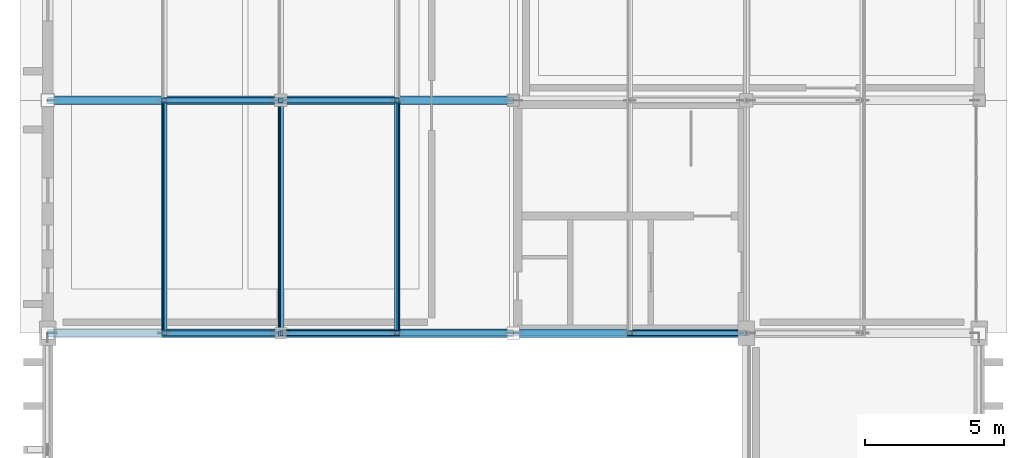
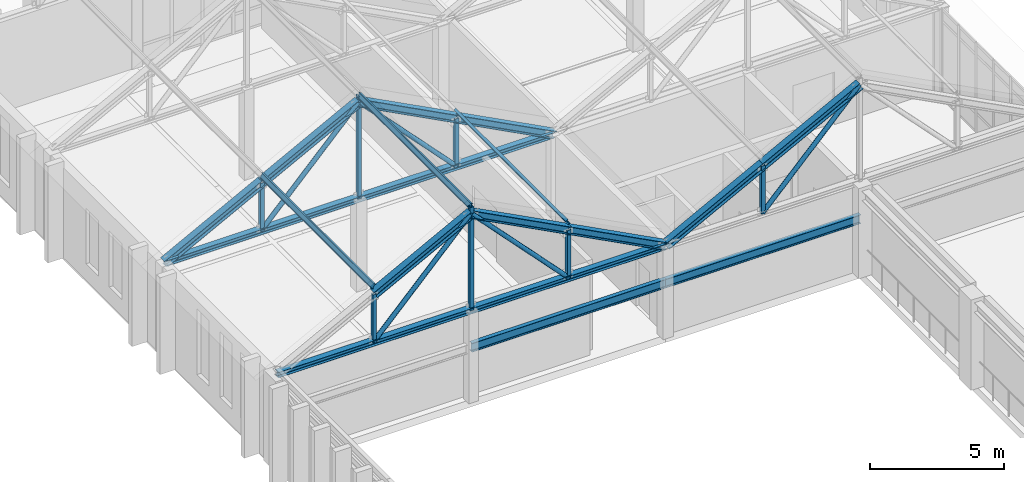
# One storey, part 72 of 192: 26 members, 2 beams.
"""IFC4 building model written with IfcOpenShell, lengths in metres."""

import ifcopenshell
import ifcopenshell.guid

model = None  # the IFC model being written
_history = None  # IfcOwnerHistory: only IFC2X3 demands one
_inside = {}  # id of a spatial element -> (the spatial element, [elements in it])
_under = {}  # id of a project, library or spatial element -> (it, [spatial elements below it])
_declared = {}  # id of a project -> (the project, [libraries it declares])
_typed = {}  # id of a type object -> (the type object, [elements of that type])
_made_of = {}  # id of a material, layer set ... -> (it, [elements and type objects made of it])


def new_model(schema):
    """Start an empty IFC model of exactly this schema.

    Asked for "IFC4X3", IfcOpenShell would pick the latest addendum, in which some entities
    have other attributes; the version numbers below select the first issue.
    IFC2X3 requires an IfcOwnerHistory on every rooted entity: one is made here for all.
    """
    global model, _history
    if schema == "IFC4X3":
        model = ifcopenshell.file(schema_version=(4, 3, 0, 0))
    else:
        model = ifcopenshell.file(schema=schema)
    _inside.clear()
    _under.clear()
    _declared.clear()
    _typed.clear()
    _made_of.clear()
    _history = None
    if model.schema == "IFC2X3":
        org = make("IfcOrganization", Name="unknown")
        user = make(
            "IfcPersonAndOrganization",
            ThePerson=make("IfcPerson", FamilyName="unknown"),
            TheOrganization=org,
        )
        app = make(
            "IfcApplication",
            ApplicationDeveloper=org,
            Version="unknown",
            ApplicationFullName="unknown",
            ApplicationIdentifier="unknown",
        )
        _history = make(
            "IfcOwnerHistory",
            OwningUser=user,
            OwningApplication=app,
            ChangeAction="ADDED",
            CreationDate=0,
        )
    return model


def make(cls, **values):
    """One entity of the class cls with the attributes given. An attribute that is None is left unset."""
    return model.create_entity(
        cls, **{name: value for name, value in values.items() if value is not None}
    )


def rooted(cls, **values):
    """An entity with a GlobalId (a new one), such as an element, a storey or a relation."""
    return make(cls, GlobalId=ifcopenshell.guid.new(), OwnerHistory=_history, **values)


def si_unit(unit_type, name, prefix=None):
    """IfcSIUnit, for example si_unit("LENGTHUNIT", "METRE", prefix="MILLI")."""
    return make("IfcSIUnit", UnitType=unit_type, Prefix=prefix, Name=name)


def assignment(units):
    """IfcUnitAssignment: the units of a project."""
    return None if units is None else make("IfcUnitAssignment", Units=units)


def point(xyz):
    """IfcCartesianPoint."""
    return None if xyz is None else make("IfcCartesianPoint", Coordinates=xyz)


def direction(xyz):
    """IfcDirection."""
    return None if xyz is None else make("IfcDirection", DirectionRatios=xyz)


def frame(location, z_axis=None, x_axis=None):
    """IfcAxis2Placement3D, a coordinate frame: its origin and axes. An axis left out is left unset."""
    return make(
        "IfcAxis2Placement3D",
        Location=point(location),
        Axis=direction(z_axis),
        RefDirection=direction(x_axis),
    )


def frame_2d(location, x_axis=None):
    """IfcAxis2Placement2D, a coordinate frame in the plane: its origin and x axis."""
    return make(
        "IfcAxis2Placement2D", Location=point(location), RefDirection=direction(x_axis)
    )


def origin():
    """The frame at (0, 0, 0) with its axes left unset."""
    return frame((0.0, 0.0, 0.0))


def origin_2d():
    """The frame at (0, 0) in the plane with its x axis left unset."""
    return frame_2d((0.0, 0.0))


def place(relative_to, where):
    """IfcLocalPlacement: puts the frame where relative to a parent placement (None: the world)."""
    return make(
        "IfcLocalPlacement", PlacementRelTo=relative_to, RelativePlacement=where
    )


def context(
    kind, dimensions, precision=None, world=None, true_north=None, identifier=None
):
    """IfcGeometricRepresentationContext, for example the 3D "Model" context."""
    return make(
        "IfcGeometricRepresentationContext",
        ContextIdentifier=identifier,
        ContextType=kind,
        CoordinateSpaceDimension=dimensions,
        Precision=precision,
        WorldCoordinateSystem=world,
        TrueNorth=true_north,
    )


def subcontext(parent, identifier, kind, view, scale=None):
    """IfcGeometricRepresentationSubContext, for example "Body" below "Model"."""
    return make(
        "IfcGeometricRepresentationSubContext",
        ContextIdentifier=identifier,
        ContextType=kind,
        ParentContext=parent,
        TargetScale=scale,
        TargetView=view,
    )


def project(units=None, contexts=None):
    """IfcProject with its units and contexts."""
    return rooted(
        "IfcProject",
        Name="project",
        RepresentationContexts=contexts,
        UnitsInContext=assignment(units),
    )


def spatial(cls, under=None, at=None, **own):
    """A site, building, storey or space (cls), placed at a placement, below another one or the project."""
    s = rooted(cls, ObjectPlacement=at, **own)
    if under is not None:
        _under.setdefault(under.id(), (under, []))[1].append(s)
    return s


def profile(cls, at=None, kind="AREA", **sizes):
    """A parametric profile (cls). Its sizes go by their IFC names, for example OverallWidth=200.0."""
    return make(cls, ProfileType=kind, Position=at, **sizes)


def hollow_rectangle(**sizes):
    """IfcRectangleHollowProfileDef."""
    return profile("IfcRectangleHollowProfileDef", **sizes)


def hollow_circle(**sizes):
    """IfcCircleHollowProfileDef."""
    return profile("IfcCircleHollowProfileDef", **sizes)


def i_section(**sizes):
    """IfcIShapeProfileDef."""
    return profile("IfcIShapeProfileDef", **sizes)


def extrude(swept, where, along, depth):
    """IfcExtrudedAreaSolid: the profile swept, set in the frame where, extruded along a direction by depth."""
    return make(
        "IfcExtrudedAreaSolid",
        SweptArea=swept,
        Position=where,
        ExtrudedDirection=direction(along),
        Depth=depth,
    )


def shape(context_of_items, identifier, shape_type, items):
    """IfcShapeRepresentation: the items that make up one representation, for example the "Body"."""
    return make(
        "IfcShapeRepresentation",
        ContextOfItems=context_of_items,
        RepresentationIdentifier=identifier,
        RepresentationType=shape_type,
        Items=items,
    )


def material(Name=None, Category=None):
    """IfcMaterial."""
    return make("IfcMaterial", Name=Name, Category=Category)


def material_profile(
    of_material, cross_section, Name=None, Category=None, Priority=None
):
    """IfcMaterialProfile: a cross section and its material."""
    return make(
        "IfcMaterialProfile",
        Name=Name,
        Material=of_material,
        Profile=cross_section,
        Priority=Priority,
        Category=Category,
    )


def profile_set(profiles, Name=None, composite=None):
    """IfcMaterialProfileSet."""
    return make(
        "IfcMaterialProfileSet",
        Name=Name,
        MaterialProfiles=profiles,
        CompositeProfile=composite,
    )


def made_of(thing, what):
    """Note that an element or type object is made of a material, layer set ...; save() writes the relation."""
    if what is not None:
        _made_of.setdefault(what.id(), (what, []))[1].append(thing)
    return thing


def type_object(cls, material=None, **own):
    """A type object (cls), such as IfcWallType, which elements share."""
    return made_of(rooted(cls, **own), material)


def element(
    cls,
    number,
    at=None,
    inside=None,
    cuts=None,
    type_object=None,
    material=None,
    context=None,
    identifier="Body",
    shape_type=None,
    held_by="IfcProductDefinitionShape",
    body=None,
    shapes=None,
    **own,
):
    """One element of the class cls, such as IfcWall. Its Tag is "e" and its number.

    at: its placement. inside: the storey or other place that contains it. cuts: it is an
    opening in that element (IfcRelVoidsElement). A single representation is given by context,
    identifier, shape_type and body (its items); several are given by shapes. held_by: the class
    of the entity that holds the representations. save() writes the other relations.
    """
    e = rooted(cls, Tag="e%d" % number, ObjectPlacement=at, **own)
    if body is not None:
        shapes = [shape(context, identifier, shape_type, body)]
    if shapes is not None:
        e.Representation = make(held_by, Representations=shapes)
    if inside is not None:
        _inside.setdefault(inside.id(), (inside, []))[1].append(e)
    if cuts is not None:
        rooted(
            "IfcRelVoidsElement", RelatingBuildingElement=cuts, RelatedOpeningElement=e
        )
    if type_object is not None:
        _typed.setdefault(type_object.id(), (type_object, []))[1].append(e)
    return made_of(e, material)


def aggregate(whole, parts):
    """IfcRelAggregates: a whole, such as a stair, and the parts it consists of."""
    return rooted("IfcRelAggregates", RelatingObject=whole, RelatedObjects=parts)


def save(model, path):
    """Write the relations noted so far, then the file.

    IfcRelAggregates (storeys below a building ...), IfcRelContainedInSpatialStructure (elements
    in a storey), IfcRelDefinesByType, IfcRelAssociatesMaterial and IfcRelDeclares: one each for
    every whole, place, type object, material and project.
    """
    for whole, parts in _under.values():
        aggregate(whole, parts)
    for where, things in _inside.values():
        rooted(
            "IfcRelContainedInSpatialStructure",
            RelatedElements=things,
            RelatingStructure=where,
        )
    for kind, things in _typed.values():
        rooted("IfcRelDefinesByType", RelatedObjects=things, RelatingType=kind)
    for what, things in _made_of.values():
        rooted("IfcRelAssociatesMaterial", RelatedObjects=things, RelatingMaterial=what)
    for by, libraries in _declared.values():
        rooted("IfcRelDeclares", RelatingContext=by, RelatedDefinitions=libraries)
    model.write(path)


model = new_model("IFC4")

# Units and contexts
model_context = context("Model", 3, precision=1e-05, world=origin(), true_north=direction((0.0, 1.0)))
body_context = subcontext(model_context, "Body", "Model", "MODEL_VIEW")
ifc_project = project(units=[si_unit("LENGTHUNIT", "METRE"), si_unit("AREAUNIT", "SQUARE_METRE"), si_unit("VOLUMEUNIT", "CUBIC_METRE"), si_unit("PLANEANGLEUNIT", "RADIAN"), si_unit("MASSUNIT", "GRAM", prefix="KILO")], contexts=[model_context])

# Site, building, storey
site_placement = place(None, origin())
site = spatial("IfcSite", under=ifc_project, at=site_placement, CompositionType="ELEMENT")
building_placement = place(site_placement, origin())
building = spatial("IfcBuilding", under=site, at=building_placement, Name="Kveldsbrygga Polytechnic", CompositionType="ELEMENT")
storey_placement = place(building_placement, frame((0.0, 0.0, 5.43994140625)))
storey = spatial("IfcBuildingStorey", under=building, at=storey_placement, Name="L01", CompositionType="ELEMENT", Elevation=5.43994140625)

# Beams
ifc_material = material(Name="Steel S355", Category="steel")
ifc_material_profile_1 = material_profile(ifc_material, i_section(OverallWidth=0.179931640625, OverallDepth=0.39990234375, WebThickness=0.008544921875, FlangeThickness=0.013427734375, FilletRadius=0.02099609375, at=origin_2d()), Name="IPE 400")
ifc_profile_set_1 = profile_set([ifc_material_profile_1], Name="Steel S355")
beam_type = type_object("IfcBeamType", Name="BM-STL-IPE400", PredefinedType="BEAM", material=ifc_profile_set_1)
beam_1_placement = place(storey_placement, frame((8.39990234375, 84.0, 2.41015625), z_axis=(1.0, 0.0, 0.0), x_axis=(0.0, 1.0, 0.0)))
element("IfcBeam", 1, at=beam_1_placement, inside=storey, type_object=beam_type, Name="Workshop Girt Beam BMX-V1GRT-L01-N-01", PredefinedType="BEAM", context=body_context, shape_type="SweptSolid", body=[
    extrude(i_section(OverallWidth=0.179931640625, OverallDepth=0.39990234375, WebThickness=0.008544921875, FlangeThickness=0.013427734375, FilletRadius=0.02099609375, at=origin_2d()), origin(), (0.0, 0.0, 1.0), 8.400146484375),
])
beam_2_placement = place(storey_placement, frame((16.800048828125, 84.0, 2.41015625), z_axis=(1.0, 0.0, 0.0), x_axis=(0.0, 1.0, 0.0)))
element("IfcBeam", 2, at=beam_2_placement, inside=storey, type_object=beam_type, Name="Workshop Girt Beam BMX-V1GRT-L01-N-02", PredefinedType="BEAM", context=body_context, shape_type="SweptSolid", body=[
    extrude(i_section(OverallWidth=0.179931640625, OverallDepth=0.39990234375, WebThickness=0.008544921875, FlangeThickness=0.013427734375, FilletRadius=0.02099609375, at=origin_2d()), origin(), (0.0, 0.0, 1.0), 8.39990234375),
])

# Members
ifc_material_profile_2 = material_profile(ifc_material, i_section(OverallWidth=0.110107421875, OverallDepth=0.219970703125, WebThickness=0.005859375, FlangeThickness=0.00927734375, FilletRadius=0.011962890625, at=origin_2d()), Name="IPE 220")
ifc_profile_set_2 = profile_set([ifc_material_profile_2], Name="Steel S355")
member_type_1 = type_object("IfcMemberType", Name="PRL-IPE220", PredefinedType="PURLIN", material=ifc_profile_set_2)
for number, where, z_axis, x_axis, name in (
    (3, (4.199951171875, 84.0, 6.630615234375), (0.0, 1.0, 0.0), (-0.885831335765, 0.0, 0.464007375564), "Roof Purlin V1N1-PRL-1-1"),
    (4, (8.39990234375, 84.0, 8.83056640625), (0.0, 1.0, 0.0), (-0.885831335765, 0.0, 0.464007375564), "Roof Purlin V1N1-PRL-1-2"),
    (5, (12.60009765625, 84.0, 6.630615234375), (0.0, 1.0, 0.0), (-0.885831335765, 0.0, -0.464007375564), "Roof Purlin V1N1-PRL-1-3"),
):
    element("IfcMember", number, at=place(storey_placement, frame(where, z_axis=z_axis, x_axis=x_axis)), inside=storey, type_object=member_type_1, Name=name, PredefinedType="PURLIN", context=body_context, shape_type="SweptSolid", body=[
        extrude(i_section(OverallWidth=0.110107421875, OverallDepth=0.219970703125, WebThickness=0.005859375, FlangeThickness=0.00927734375, FilletRadius=0.011962890625, at=origin_2d()), origin(), (0.0, 0.0, 1.0), 8.39990234375),
    ])
ifc_material_profile_3 = material_profile(ifc_material, i_section(OverallWidth=0.260009765625, OverallDepth=0.25, WebThickness=0.007568359375, FlangeThickness=0.012451171875, FilletRadius=0.02392578125, at=origin_2d()), Name="HEA 260")
ifc_profile_set_3 = profile_set([ifc_material_profile_3], Name="Steel S355")
member_type_2 = type_object("IfcMemberType", Name="TR-BOT-HEA260", PredefinedType="CHORD", material=ifc_profile_set_3)
for number, where, z_axis, x_axis, name in (
    (6, (0.0, 84.0, 4.1201171875), (1.0, 0.0, 0.0), (0.0, 1.0, 0.0), "Truss Bottom Chord V1N1-T01-BC-1"),
    (7, (0.0, 92.39990234375, 4.1201171875), (1.0, 0.0, 0.0), (0.0, 1.0, 0.0), "Truss Bottom Chord V1N1-T02-BC-1"),
):
    element("IfcMember", number, at=place(storey_placement, frame(where, z_axis=z_axis, x_axis=x_axis)), inside=storey, type_object=member_type_2, Name=name, PredefinedType="CHORD", context=body_context, shape_type="SweptSolid", body=[
        extrude(i_section(OverallWidth=0.260009765625, OverallDepth=0.25, WebThickness=0.007568359375, FlangeThickness=0.012451171875, FilletRadius=0.02392578125, at=origin_2d()), origin(), (0.0, 0.0, 1.0), 16.800048828125),
    ])
ifc_material_profile_4 = material_profile(ifc_material, hollow_circle(Radius=0.096923828125, WallThickness=0.010009765625, at=origin_2d()), Name="CHS 193.7x10.0")
ifc_profile_set_4 = profile_set([ifc_material_profile_4], Name="Steel S355")
member_type_3 = type_object("IfcMemberType", Name="TR-DIAG-CHS194", PredefinedType="BRACE", material=ifc_profile_set_4)
for number, where, z_axis, x_axis, name in (
    (8, (4.199951171875, 84.0, 4.1201171875), (0.690479565127, 0.0, 0.723351899245), (0.0, 1.0, 0.0), "Truss Diagonal V1N1-T01-DG-2"),
    (9, (8.39990234375, 84.0, 8.52001953125), (0.69050056554, 0.0, -0.723331852602), (0.0, 1.0, 0.0), "Truss Diagonal V1N1-T01-DG-3"),
    (10, (4.199951171875, 92.39990234375, 4.1201171875), (0.690479565127, 0.0, 0.723351899245), (0.0, 1.0, 0.0), "Truss Diagonal V1N1-T02-DG-2"),
    (11, (8.39990234375, 92.39990234375, 8.52001953125), (0.69050056554, 0.0, -0.723331852602), (0.0, 1.0, 0.0), "Truss Diagonal V1N1-T02-DG-3"),
    (12, (21.0, 84.0, 4.1201171875), (0.690479565127, 0.0, 0.723351899245), (0.0, 1.0, 0.0), "Truss Diagonal V1N2-T01-DG-2"),
):
    element("IfcMember", number, at=place(storey_placement, frame(where, z_axis=z_axis, x_axis=x_axis)), inside=storey, type_object=member_type_3, Name=name, PredefinedType="BRACE", context=body_context, shape_type="SweptSolid", body=[
        extrude(hollow_circle(Radius=0.096923828125, WallThickness=0.010009765625, at=origin_2d()), origin(), (0.0, 0.0, 1.0), 6.082763671875),
    ])
ifc_material_profile_5 = material_profile(ifc_material, hollow_rectangle(XDim=0.159912109375, YDim=0.159912109375, WallThickness=0.010009765625, at=origin_2d()), Name="SHS 160x160x10.0")
ifc_profile_set_5 = profile_set([ifc_material_profile_5], Name="Steel S355")
member_type_4 = type_object("IfcMemberType", Name="TR-POST-SHS160", PredefinedType="STRUT", material=ifc_profile_set_5)
member_1_placement = place(storey_placement, frame((4.199951171875, 84.0, 4.1201171875), z_axis=(0.0, 0.0, 1.0), x_axis=(1.0, 0.0, 0.0)))
element("IfcMember", 13, at=member_1_placement, inside=storey, type_object=member_type_4, Name="Truss Vertical V1N1-T01-VT-1", PredefinedType="STRUT", context=body_context, shape_type="SweptSolid", body=[
    extrude(hollow_rectangle(XDim=0.159912109375, YDim=0.159912109375, WallThickness=0.010009765625, at=origin_2d()), origin(), (0.0, 0.0, 1.0), 2.199951171875),
])
member_2_placement = place(storey_placement, frame((8.39990234375, 84.0, 4.1201171875), z_axis=(0.0, 0.0, 1.0), x_axis=(1.0, 0.0, 0.0)))
element("IfcMember", 14, at=member_2_placement, inside=storey, type_object=member_type_4, Name="Truss Vertical V1N1-T01-VT-2", PredefinedType="STRUT", context=body_context, shape_type="SweptSolid", body=[
    extrude(hollow_rectangle(XDim=0.159912109375, YDim=0.159912109375, WallThickness=0.010009765625, at=origin_2d()), origin(), (0.0, 0.0, 1.0), 4.71044921875),
])
for number, where, z_axis, x_axis, name in (
    (15, (12.60009765625, 84.0, 4.1201171875), (0.0, 0.0, 1.0), (1.0, 0.0, 0.0), "Truss Vertical V1N1-T01-VT-3"),
    (16, (4.199951171875, 92.39990234375, 4.1201171875), (0.0, 0.0, 1.0), (1.0, 0.0, 0.0), "Truss Vertical V1N1-T02-VT-1"),
):
    element("IfcMember", number, at=place(storey_placement, frame(where, z_axis=z_axis, x_axis=x_axis)), inside=storey, type_object=member_type_4, Name=name, PredefinedType="STRUT", context=body_context, shape_type="SweptSolid", body=[
        extrude(hollow_rectangle(XDim=0.159912109375, YDim=0.159912109375, WallThickness=0.010009765625, at=origin_2d()), origin(), (0.0, 0.0, 1.0), 2.199951171875),
    ])
member_3_placement = place(storey_placement, frame((8.39990234375, 92.39990234375, 4.1201171875), z_axis=(0.0, 0.0, 1.0), x_axis=(1.0, 0.0, 0.0)))
element("IfcMember", 17, at=member_3_placement, inside=storey, type_object=member_type_4, Name="Truss Vertical V1N1-T02-VT-2", PredefinedType="STRUT", context=body_context, shape_type="SweptSolid", body=[
    extrude(hollow_rectangle(XDim=0.159912109375, YDim=0.159912109375, WallThickness=0.010009765625, at=origin_2d()), origin(), (0.0, 0.0, 1.0), 4.71044921875),
])
for number, where, z_axis, x_axis, name in (
    (18, (12.60009765625, 92.39990234375, 4.1201171875), (0.0, 0.0, 1.0), (1.0, 0.0, 0.0), "Truss Vertical V1N1-T02-VT-3"),
    (19, (21.0, 84.0, 4.1201171875), (0.0, 0.0, 1.0), (1.0, 0.0, 0.0), "Truss Vertical V1N2-T01-VT-1"),
):
    element("IfcMember", number, at=place(storey_placement, frame(where, z_axis=z_axis, x_axis=x_axis)), inside=storey, type_object=member_type_4, Name=name, PredefinedType="STRUT", context=body_context, shape_type="SweptSolid", body=[
        extrude(hollow_rectangle(XDim=0.159912109375, YDim=0.159912109375, WallThickness=0.010009765625, at=origin_2d()), origin(), (0.0, 0.0, 1.0), 2.199951171875),
    ])
ifc_material_profile_6 = material_profile(ifc_material, i_section(OverallWidth=0.300048828125, OverallDepth=0.330078125, WebThickness=0.009521484375, FlangeThickness=0.0166015625, FilletRadius=0.027099609375, at=origin_2d()), Name="HEA 340")
ifc_profile_set_6 = profile_set([ifc_material_profile_6], Name="Steel S355")
member_type_5 = type_object("IfcMemberType", Name="TR-TOP-HEA340", PredefinedType="CHORD", material=ifc_profile_set_6)
member_4_placement = place(storey_placement, frame((4.199951171875, 84.0, 6.320068359375), z_axis=(0.885833551011, 0.0, 0.464003146437), x_axis=(0.0, 1.0, 0.0)))
element("IfcMember", 20, at=member_4_placement, inside=storey, type_object=member_type_5, Name="Truss Top Chord V1N1-T01-TC-2", PredefinedType="CHORD", context=body_context, shape_type="SweptSolid", body=[
    extrude(i_section(OverallWidth=0.300048828125, OverallDepth=0.330078125, WebThickness=0.009521484375, FlangeThickness=0.0166015625, FilletRadius=0.027099609375, at=origin_2d()), origin(), (0.0, 0.0, 1.0), 4.7412109375),
])
member_5_placement = place(storey_placement, frame((8.39990234375, 84.0, 8.52001953125), z_axis=(0.885844636633, 0.0, -0.463981982138), x_axis=(0.0, 1.0, 0.0)))
element("IfcMember", 21, at=member_5_placement, inside=storey, type_object=member_type_5, Name="Truss Top Chord V1N1-T01-TC-3", PredefinedType="CHORD", context=body_context, shape_type="SweptSolid", body=[
    extrude(i_section(OverallWidth=0.300048828125, OverallDepth=0.330078125, WebThickness=0.009521484375, FlangeThickness=0.0166015625, FilletRadius=0.027099609375, at=origin_2d()), origin(), (0.0, 0.0, 1.0), 4.741455078125),
])
for number, where, z_axis, x_axis, name in (
    (22, (12.60009765625, 84.0, 6.320068359375), (0.885833551011, 0.0, -0.464003146437), (0.0, 1.0, 0.0), "Truss Top Chord V1N1-T01-TC-4"),
    (23, (0.0, 92.39990234375, 4.1201171875), (0.885833551011, 0.0, 0.464003146437), (0.0, 1.0, 0.0), "Truss Top Chord V1N1-T02-TC-1"),
    (24, (4.199951171875, 92.39990234375, 6.320068359375), (0.885833551011, 0.0, 0.464003146437), (0.0, 1.0, 0.0), "Truss Top Chord V1N1-T02-TC-2"),
):
    element("IfcMember", number, at=place(storey_placement, frame(where, z_axis=z_axis, x_axis=x_axis)), inside=storey, type_object=member_type_5, Name=name, PredefinedType="CHORD", context=body_context, shape_type="SweptSolid", body=[
        extrude(i_section(OverallWidth=0.300048828125, OverallDepth=0.330078125, WebThickness=0.009521484375, FlangeThickness=0.0166015625, FilletRadius=0.027099609375, at=origin_2d()), origin(), (0.0, 0.0, 1.0), 4.7412109375),
    ])
member_6_placement = place(storey_placement, frame((8.39990234375, 92.39990234375, 8.52001953125), z_axis=(0.885844636633, 0.0, -0.463981982138), x_axis=(0.0, 1.0, 0.0)))
element("IfcMember", 25, at=member_6_placement, inside=storey, type_object=member_type_5, Name="Truss Top Chord V1N1-T02-TC-3", PredefinedType="CHORD", context=body_context, shape_type="SweptSolid", body=[
    extrude(i_section(OverallWidth=0.300048828125, OverallDepth=0.330078125, WebThickness=0.009521484375, FlangeThickness=0.0166015625, FilletRadius=0.027099609375, at=origin_2d()), origin(), (0.0, 0.0, 1.0), 4.741455078125),
])
for number, where, z_axis, x_axis, name in (
    (26, (12.60009765625, 92.39990234375, 6.320068359375), (0.885833551011, 0.0, -0.464003146437), (0.0, 1.0, 0.0), "Truss Top Chord V1N1-T02-TC-4"),
    (27, (16.800048828125, 84.0, 4.1201171875), (0.885833551011, 0.0, 0.464003146437), (0.0, 1.0, 0.0), "Truss Top Chord V1N2-T01-TC-1"),
    (28, (21.0, 84.0, 6.320068359375), (0.885833551011, 0.0, 0.464003146437), (0.0, 1.0, 0.0), "Truss Top Chord V1N2-T01-TC-2"),
):
    element("IfcMember", number, at=place(storey_placement, frame(where, z_axis=z_axis, x_axis=x_axis)), inside=storey, type_object=member_type_5, Name=name, PredefinedType="CHORD", context=body_context, shape_type="SweptSolid", body=[
        extrude(i_section(OverallWidth=0.300048828125, OverallDepth=0.330078125, WebThickness=0.009521484375, FlangeThickness=0.0166015625, FilletRadius=0.027099609375, at=origin_2d()), origin(), (0.0, 0.0, 1.0), 4.7412109375),
    ])

save(model, "model.ifc")
